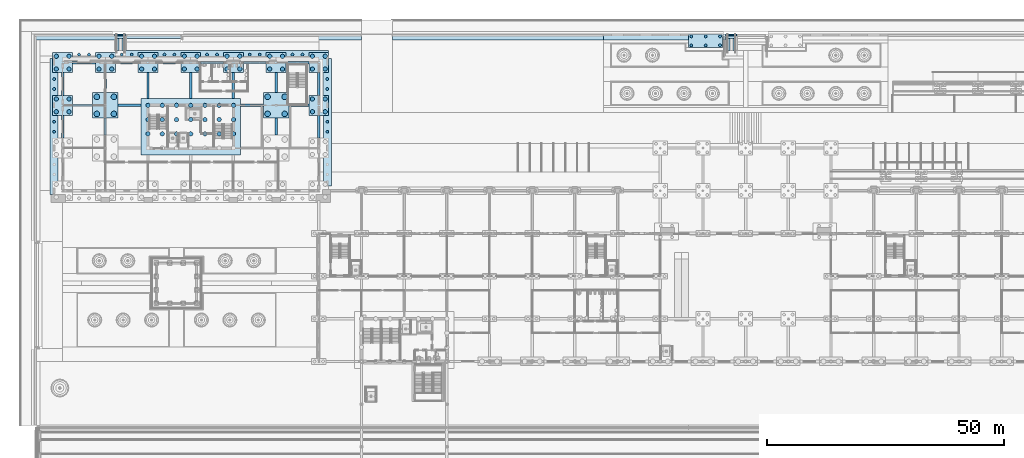
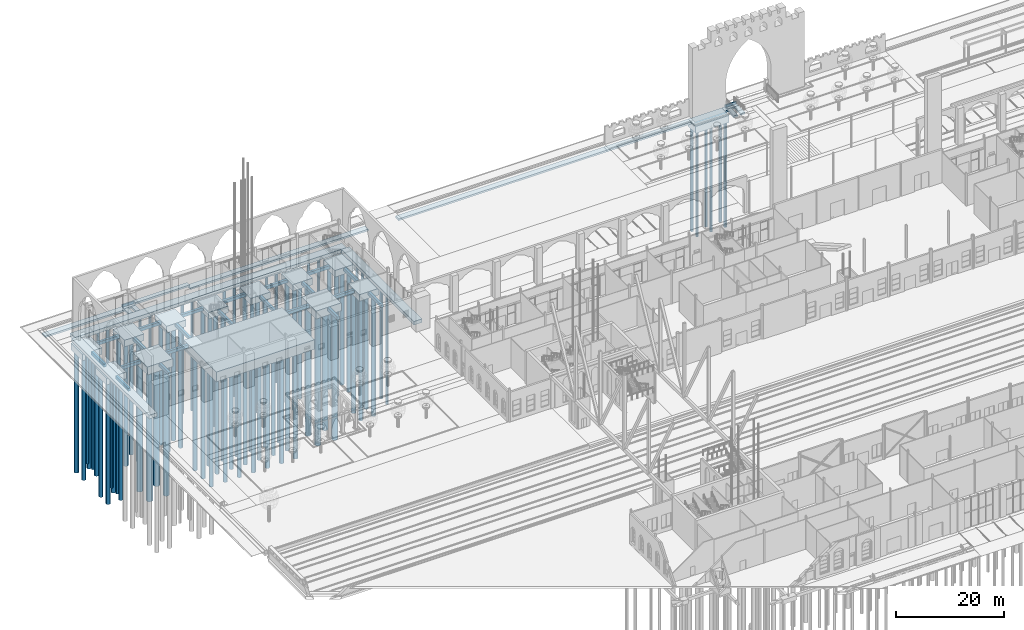
# One storey, part 7 of 250: 91 piles, 51 footings.
"""IFC4 building model written with IfcOpenShell, lengths in metres."""

from ifc_helpers import new_model, si_unit, direction, frame, origin, origin_2d, place, context, subcontext, project, spatial, polyline, rectangle, circle, outline, extrude, material, type_object, element, save


model = new_model("IFC4")

# Units and contexts
model_context = context("Model", 3, precision=1e-05, world=origin(), true_north=direction((0.0, 1.0)))
body_context = subcontext(model_context, "Body", "Model", "MODEL_VIEW")
ifc_project = project(units=[si_unit("LENGTHUNIT", "METRE"), si_unit("AREAUNIT", "SQUARE_METRE"), si_unit("VOLUMEUNIT", "CUBIC_METRE"), si_unit("PLANEANGLEUNIT", "RADIAN"), si_unit("MASSUNIT", "GRAM", prefix="KILO")], contexts=[model_context])

# Site, building, storey
site_placement = place(None, origin())
site = spatial("IfcSite", under=ifc_project, at=site_placement, CompositionType="ELEMENT")
building_placement = place(site_placement, origin())
building = spatial("IfcBuilding", under=site, at=building_placement, Name="Baradari Gate Terminus", CompositionType="ELEMENT")
storey_placement = place(building_placement, origin())
storey = spatial("IfcBuildingStorey", under=building, at=storey_placement, Name="L00", CompositionType="ELEMENT", Elevation=0.0)

# Piles
ifc_material_1 = material(Name="Concrete C32/40", Category="concrete")
pile_type_1 = type_object("IfcPileType", Name="Bored pile BP1 D900", PredefinedType="BORED", material=ifc_material_1)
for number, where, z_axis, x_axis, name in (
    (1, (27.0, 129.0, -4.199951171875), (0.0, 0.0, -1.0), (1.0, 0.0, 0.0), "Bored pile BP1 under the Operations block core (2)"),
    (2, (27.0, 132.0, -4.199951171875), (0.0, 0.0, -1.0), (1.0, 0.0, 0.0), "Bored pile BP1 under the Operations block core (3)"),
    (3, (27.0, 135.0, -4.199951171875), (0.0, 0.0, -1.0), (1.0, 0.0, 0.0), "Bored pile BP1 under the Operations block core (4)"),
    (4, (30.0, 129.0, -4.199951171875), (0.0, 0.0, -1.0), (1.0, 0.0, 0.0), "Bored pile BP1 under the Operations block core (6)"),
    (5, (30.0, 132.0, -4.199951171875), (0.0, 0.0, -1.0), (1.0, 0.0, 0.0), "Bored pile BP1 under the Operations block core (7)"),
    (6, (30.0, 135.0, -4.199951171875), (0.0, 0.0, -1.0), (1.0, 0.0, 0.0), "Bored pile BP1 under the Operations block core (8)"),
    (7, (33.0, 129.0, -4.199951171875), (0.0, 0.0, -1.0), (1.0, 0.0, 0.0), "Bored pile BP1 under the Operations block core (10)"),
    (8, (33.0, 132.0, -4.199951171875), (0.0, 0.0, -1.0), (1.0, 0.0, 0.0), "Bored pile BP1 under the Operations block core (11)"),
    (9, (33.0, 135.0, -4.199951171875), (0.0, 0.0, -1.0), (1.0, 0.0, 0.0), "Bored pile BP1 under the Operations block core (12)"),
    (10, (36.0, 129.0, -4.199951171875), (0.0, 0.0, -1.0), (1.0, 0.0, 0.0), "Bored pile BP1 under the Operations block core (14)"),
    (11, (36.0, 132.0, -4.199951171875), (0.0, 0.0, -1.0), (1.0, 0.0, 0.0), "Bored pile BP1 under the Operations block core (15)"),
    (12, (36.0, 135.0, -4.199951171875), (0.0, 0.0, -1.0), (1.0, 0.0, 0.0), "Bored pile BP1 under the Operations block core (16)"),
    (13, (39.0, 129.0, -4.199951171875), (0.0, 0.0, -1.0), (1.0, 0.0, 0.0), "Bored pile BP1 under the Operations block core (18)"),
    (14, (39.0, 132.0, -4.199951171875), (0.0, 0.0, -1.0), (1.0, 0.0, 0.0), "Bored pile BP1 under the Operations block core (19)"),
    (15, (39.0, 135.0, -4.199951171875), (0.0, 0.0, -1.0), (1.0, 0.0, 0.0), "Bored pile BP1 under the Operations block core (20)"),
    (16, (42.0, 129.0, -4.199951171875), (0.0, 0.0, -1.0), (1.0, 0.0, 0.0), "Bored pile BP1 under the Operations block core (22)"),
    (17, (42.0, 132.0, -4.199951171875), (0.0, 0.0, -1.0), (1.0, 0.0, 0.0), "Bored pile BP1 under the Operations block core (23)"),
    (18, (42.0, 135.0, -4.199951171875), (0.0, 0.0, -1.0), (1.0, 0.0, 0.0), "Bored pile BP1 under the Operations block core (24)"),
    (19, (45.0, 129.0, -4.199951171875), (0.0, 0.0, -1.0), (1.0, 0.0, 0.0), "Bored pile BP1 under the Operations block core (26)"),
    (20, (45.0, 132.0, -4.199951171875), (0.0, 0.0, -1.0), (1.0, 0.0, 0.0), "Bored pile BP1 under the Operations block core (27)"),
    (21, (45.0, 135.0, -4.199951171875), (0.0, 0.0, -1.0), (1.0, 0.0, 0.0), "Bored pile BP1 under the Operations block core (28)"),
):
    element("IfcPile", number, at=place(storey_placement, frame(where, z_axis=z_axis, x_axis=x_axis)), inside=storey, type_object=pile_type_1, Name=name, PredefinedType="BORED", context=body_context, shape_type="SweptSolid", body=[
        extrude(circle(Radius=0.449951171875, at=origin_2d()), origin(), (0.0, 0.0, 1.0), 26.800048828125),
    ])
for number, where, z_axis, x_axis, name in (
    (22, (7.64990234375, 133.64990234375, -3.5), (0.0, 0.0, -1.0), (1.0, 0.0, 0.0), "Bored pile BP1 at 2-R (1)"),
    (23, (10.35009765625, 133.64990234375, -3.5), (0.0, 0.0, -1.0), (1.0, 0.0, 0.0), "Bored pile BP1 at 2-R (2)"),
    (24, (7.64990234375, 136.35009765625, -3.5), (0.0, 0.0, -1.0), (1.0, 0.0, 0.0), "Bored pile BP1 at 2-R (3)"),
    (25, (10.35009765625, 136.35009765625, -3.5), (0.0, 0.0, -1.0), (1.0, 0.0, 0.0), "Bored pile BP1 at 2-R (4)"),
    (26, (7.64990234375, 142.64990234375, -3.5), (0.0, 0.0, -1.0), (1.0, 0.0, 0.0), "Bored pile BP1 at 2-S (1)"),
    (27, (10.35009765625, 142.64990234375, -3.5), (0.0, 0.0, -1.0), (1.0, 0.0, 0.0), "Bored pile BP1 at 2-S (2)"),
    (28, (7.64990234375, 145.35009765625, -3.5), (0.0, 0.0, -1.0), (1.0, 0.0, 0.0), "Bored pile BP1 at 2-S (3)"),
    (29, (10.35009765625, 145.35009765625, -3.5), (0.0, 0.0, -1.0), (1.0, 0.0, 0.0), "Bored pile BP1 at 2-S (4)"),
    (30, (16.64990234375, 142.64990234375, -3.5), (0.0, 0.0, -1.0), (1.0, 0.0, 0.0), "Bored pile BP1 at 3-S (1)"),
    (31, (19.35009765625, 142.64990234375, -3.5), (0.0, 0.0, -1.0), (1.0, 0.0, 0.0), "Bored pile BP1 at 3-S (2)"),
    (32, (16.64990234375, 145.35009765625, -3.5), (0.0, 0.0, -1.0), (1.0, 0.0, 0.0), "Bored pile BP1 at 3-S (3)"),
    (33, (19.35009765625, 145.35009765625, -3.5), (0.0, 0.0, -1.0), (1.0, 0.0, 0.0), "Bored pile BP1 at 3-S (4)"),
    (34, (25.64990234375, 142.64990234375, -3.5), (0.0, 0.0, -1.0), (1.0, 0.0, 0.0), "Bored pile BP1 at 4-S (1)"),
    (35, (28.35009765625, 142.64990234375, -3.5), (0.0, 0.0, -1.0), (1.0, 0.0, 0.0), "Bored pile BP1 at 4-S (2)"),
    (36, (25.64990234375, 145.35009765625, -3.5), (0.0, 0.0, -1.0), (1.0, 0.0, 0.0), "Bored pile BP1 at 4-S (3)"),
    (37, (28.35009765625, 145.35009765625, -3.5), (0.0, 0.0, -1.0), (1.0, 0.0, 0.0), "Bored pile BP1 at 4-S (4)"),
    (38, (34.64990234375, 142.64990234375, -3.5), (0.0, 0.0, -1.0), (1.0, 0.0, 0.0), "Bored pile BP1 at 5-S (1)"),
    (39, (37.35009765625, 142.64990234375, -3.5), (0.0, 0.0, -1.0), (1.0, 0.0, 0.0), "Bored pile BP1 at 5-S (2)"),
    (40, (34.64990234375, 145.35009765625, -3.5), (0.0, 0.0, -1.0), (1.0, 0.0, 0.0), "Bored pile BP1 at 5-S (3)"),
    (41, (37.35009765625, 145.35009765625, -3.5), (0.0, 0.0, -1.0), (1.0, 0.0, 0.0), "Bored pile BP1 at 5-S (4)"),
    (42, (43.64990234375, 142.64990234375, -3.5), (0.0, 0.0, -1.0), (1.0, 0.0, 0.0), "Bored pile BP1 at 6-S (1)"),
    (43, (46.35009765625, 142.64990234375, -3.5), (0.0, 0.0, -1.0), (1.0, 0.0, 0.0), "Bored pile BP1 at 6-S (2)"),
    (44, (43.64990234375, 145.35009765625, -3.5), (0.0, 0.0, -1.0), (1.0, 0.0, 0.0), "Bored pile BP1 at 6-S (3)"),
    (45, (46.35009765625, 145.35009765625, -3.5), (0.0, 0.0, -1.0), (1.0, 0.0, 0.0), "Bored pile BP1 at 6-S (4)"),
    (46, (52.64990234375, 142.64990234375, -3.5), (0.0, 0.0, -1.0), (1.0, 0.0, 0.0), "Bored pile BP1 at 7-S (1)"),
    (47, (55.35009765625, 142.64990234375, -3.5), (0.0, 0.0, -1.0), (1.0, 0.0, 0.0), "Bored pile BP1 at 7-S (2)"),
    (48, (52.64990234375, 145.35009765625, -3.5), (0.0, 0.0, -1.0), (1.0, 0.0, 0.0), "Bored pile BP1 at 7-S (3)"),
    (49, (55.35009765625, 145.35009765625, -3.5), (0.0, 0.0, -1.0), (1.0, 0.0, 0.0), "Bored pile BP1 at 7-S (4)"),
    (50, (61.64990234375, 133.64990234375, -3.5), (0.0, 0.0, -1.0), (1.0, 0.0, 0.0), "Bored pile BP1 at 8-R (1)"),
    (51, (64.35009765625, 133.64990234375, -3.5), (0.0, 0.0, -1.0), (1.0, 0.0, 0.0), "Bored pile BP1 at 8-R (2)"),
    (52, (61.64990234375, 136.35009765625, -3.5), (0.0, 0.0, -1.0), (1.0, 0.0, 0.0), "Bored pile BP1 at 8-R (3)"),
    (53, (64.35009765625, 136.35009765625, -3.5), (0.0, 0.0, -1.0), (1.0, 0.0, 0.0), "Bored pile BP1 at 8-R (4)"),
    (54, (61.64990234375, 142.64990234375, -3.5), (0.0, 0.0, -1.0), (1.0, 0.0, 0.0), "Bored pile BP1 at 8-S (1)"),
    (55, (64.35009765625, 142.64990234375, -3.5), (0.0, 0.0, -1.0), (1.0, 0.0, 0.0), "Bored pile BP1 at 8-S (2)"),
    (56, (61.64990234375, 145.35009765625, -3.5), (0.0, 0.0, -1.0), (1.0, 0.0, 0.0), "Bored pile BP1 at 8-S (3)"),
    (57, (64.35009765625, 145.35009765625, -3.5), (0.0, 0.0, -1.0), (1.0, 0.0, 0.0), "Bored pile BP1 at 8-S (4)"),
):
    element("IfcPile", number, at=place(storey_placement, frame(where, z_axis=z_axis, x_axis=x_axis)), inside=storey, type_object=pile_type_1, Name=name, PredefinedType="BORED", context=body_context, shape_type="SweptSolid", body=[
        extrude(circle(Radius=0.449951171875, at=origin_2d()), origin(), (0.0, 0.0, 1.0), 27.5),
    ])
ifc_material_2 = material(Name="Concrete C32/40", Category="concrete")
pile_type_2 = type_object("IfcPileType", Name="Bored pile BP2 D600", PredefinedType="BORED", material=ifc_material_2)
for number, where, z_axis, x_axis, name in (
    (58, (12.449951171875, 145.699951171875, -0.85009765625), (0.0, 0.0, -1.0), (1.0, 0.0, 0.0), "Bored pile BP2 under the Operations block arcade N (1)"),
    (59, (14.550048828125, 145.699951171875, -0.85009765625), (0.0, 0.0, -1.0), (1.0, 0.0, 0.0), "Bored pile BP2 under the Operations block arcade N (2)"),
    (60, (21.449951171875, 145.699951171875, -0.85009765625), (0.0, 0.0, -1.0), (1.0, 0.0, 0.0), "Bored pile BP2 under the Operations block arcade N (3)"),
    (61, (23.550048828125, 145.699951171875, -0.85009765625), (0.0, 0.0, -1.0), (1.0, 0.0, 0.0), "Bored pile BP2 under the Operations block arcade N (4)"),
    (62, (30.449951171875, 145.699951171875, -0.85009765625), (0.0, 0.0, -1.0), (1.0, 0.0, 0.0), "Bored pile BP2 under the Operations block arcade N (5)"),
    (63, (32.550048828125, 145.699951171875, -0.85009765625), (0.0, 0.0, -1.0), (1.0, 0.0, 0.0), "Bored pile BP2 under the Operations block arcade N (6)"),
    (64, (39.449951171875, 145.699951171875, -0.85009765625), (0.0, 0.0, -1.0), (1.0, 0.0, 0.0), "Bored pile BP2 under the Operations block arcade N (7)"),
    (65, (41.550048828125, 145.699951171875, -0.85009765625), (0.0, 0.0, -1.0), (1.0, 0.0, 0.0), "Bored pile BP2 under the Operations block arcade N (8)"),
    (66, (48.449951171875, 145.699951171875, -0.85009765625), (0.0, 0.0, -1.0), (1.0, 0.0, 0.0), "Bored pile BP2 under the Operations block arcade N (9)"),
    (67, (50.550048828125, 145.699951171875, -0.85009765625), (0.0, 0.0, -1.0), (1.0, 0.0, 0.0), "Bored pile BP2 under the Operations block arcade N (10)"),
    (68, (57.449951171875, 145.699951171875, -0.85009765625), (0.0, 0.0, -1.0), (1.0, 0.0, 0.0), "Bored pile BP2 under the Operations block arcade N (11)"),
    (69, (59.550048828125, 145.699951171875, -0.85009765625), (0.0, 0.0, -1.0), (1.0, 0.0, 0.0), "Bored pile BP2 under the Operations block arcade N (12)"),
    (70, (7.199951171875, 129.449951171875, -0.85009765625), (0.0, 0.0, -1.0), (1.0, 0.0, 0.0), "Bored pile BP2 under the Operations block arcade W (3)"),
    (71, (7.199951171875, 131.550048828125, -0.85009765625), (0.0, 0.0, -1.0), (1.0, 0.0, 0.0), "Bored pile BP2 under the Operations block arcade W (4)"),
    (72, (7.199951171875, 138.449951171875, -0.85009765625), (0.0, 0.0, -1.0), (1.0, 0.0, 0.0), "Bored pile BP2 under the Operations block arcade W (5)"),
    (73, (7.199951171875, 140.550048828125, -0.85009765625), (0.0, 0.0, -1.0), (1.0, 0.0, 0.0), "Bored pile BP2 under the Operations block arcade W (6)"),
    (74, (64.800048828125, 129.449951171875, -0.85009765625), (0.0, 0.0, -1.0), (1.0, 0.0, 0.0), "Bored pile BP2 under the Operations block arcade E (3)"),
    (75, (64.800048828125, 131.550048828125, -0.85009765625), (0.0, 0.0, -1.0), (1.0, 0.0, 0.0), "Bored pile BP2 under the Operations block arcade E (4)"),
    (76, (64.800048828125, 138.449951171875, -0.85009765625), (0.0, 0.0, -1.0), (1.0, 0.0, 0.0), "Bored pile BP2 under the Operations block arcade E (5)"),
    (77, (64.800048828125, 140.550048828125, -0.85009765625), (0.0, 0.0, -1.0), (1.0, 0.0, 0.0), "Bored pile BP2 under the Operations block arcade E (6)"),
):
    element("IfcPile", number, at=place(storey_placement, frame(where, z_axis=z_axis, x_axis=x_axis)), inside=storey, type_object=pile_type_2, Name=name, PredefinedType="BORED", context=body_context, shape_type="SweptSolid", body=[
        extrude(circle(Radius=0.300048828125, at=origin_2d()), origin(), (0.0, 0.0, 1.0), 25.14990234375),
    ])
for number, where, z_axis, x_axis, name in (
    (78, (141.550048828125, 147.64990234375, -2.300048828125), (0.0, 0.0, -1.0), (1.0, 0.0, 0.0), "Bored pile BP2 under the Forecourt Gate W (1)"),
    (79, (141.550048828125, 149.5400390625, -2.300048828125), (0.0, 0.0, -1.0), (1.0, 0.0, 0.0), "Bored pile BP2 under the Forecourt Gate W (2)"),
    (80, (144.574951171875, 147.64990234375, -2.300048828125), (0.0, 0.0, -1.0), (1.0, 0.0, 0.0), "Bored pile BP2 under the Forecourt Gate W (3)"),
    (81, (144.574951171875, 149.5400390625, -2.300048828125), (0.0, 0.0, -1.0), (1.0, 0.0, 0.0), "Bored pile BP2 under the Forecourt Gate W (4)"),
    (82, (147.60009765625, 147.64990234375, -2.300048828125), (0.0, 0.0, -1.0), (1.0, 0.0, 0.0), "Bored pile BP2 under the Forecourt Gate W (5)"),
    (83, (147.60009765625, 149.5400390625, -2.300048828125), (0.0, 0.0, -1.0), (1.0, 0.0, 0.0), "Bored pile BP2 under the Forecourt Gate W (6)"),
):
    element("IfcPile", number, at=place(storey_placement, frame(where, z_axis=z_axis, x_axis=x_axis)), inside=storey, type_object=pile_type_2, Name=name, PredefinedType="BORED", context=body_context, shape_type="SweptSolid", body=[
        extrude(circle(Radius=0.300048828125, at=origin_2d()), origin(), (0.0, 0.0, 1.0), 23.699951171875),
    ])
ifc_material_3 = material(Name="Concrete C32/40", Category="concrete")
pile_type_3 = type_object("IfcPileType", Name="Bored pile BP3 D1200", PredefinedType="BORED", material=ifc_material_3)
for number, where, z_axis, x_axis, name in (
    (84, (16.199951171875, 133.199951171875, -3.800048828125), (0.0, 0.0, -1.0), (1.0, 0.0, 0.0), "Bored pile BP3 at 3-R (1)"),
    (85, (19.800048828125, 133.199951171875, -3.800048828125), (0.0, 0.0, -1.0), (1.0, 0.0, 0.0), "Bored pile BP3 at 3-R (2)"),
    (86, (16.199951171875, 136.800048828125, -3.800048828125), (0.0, 0.0, -1.0), (1.0, 0.0, 0.0), "Bored pile BP3 at 3-R (3)"),
    (87, (19.800048828125, 136.800048828125, -3.800048828125), (0.0, 0.0, -1.0), (1.0, 0.0, 0.0), "Bored pile BP3 at 3-R (4)"),
    (88, (52.199951171875, 133.199951171875, -3.800048828125), (0.0, 0.0, -1.0), (1.0, 0.0, 0.0), "Bored pile BP3 at 7-R (1)"),
    (89, (55.800048828125, 133.199951171875, -3.800048828125), (0.0, 0.0, -1.0), (1.0, 0.0, 0.0), "Bored pile BP3 at 7-R (2)"),
    (90, (52.199951171875, 136.800048828125, -3.800048828125), (0.0, 0.0, -1.0), (1.0, 0.0, 0.0), "Bored pile BP3 at 7-R (3)"),
    (91, (55.800048828125, 136.800048828125, -3.800048828125), (0.0, 0.0, -1.0), (1.0, 0.0, 0.0), "Bored pile BP3 at 7-R (4)"),
):
    element("IfcPile", number, at=place(storey_placement, frame(where, z_axis=z_axis, x_axis=x_axis)), inside=storey, type_object=pile_type_3, Name=name, PredefinedType="BORED", context=body_context, shape_type="SweptSolid", body=[
        extrude(circle(Radius=0.60009765625, at=origin_2d()), origin(), (0.0, 0.0, 1.0), 29.199951171875),
    ])

# Footings
ifc_material_4 = material(Name="Concrete C32/40", Category="concrete")
footing_type_1 = type_object("IfcFootingType", Name="Cheek strip footing SFC-1 900x400", PredefinedType="STRIP_FOOTING", material=ifc_material_4)
for number, where, z_axis, x_axis, name in (
    (92, (149.25, 147.840087890625, -1.199951171875), (0.0, 0.0, 1.0), (1.0, 0.0, 0.0), "Strip footing under ramp cheek wall Garden gate outer"),
    (93, (150.75, 147.840087890625, -1.199951171875), (0.0, 0.0, 1.0), (1.0, 0.0, 0.0), "Strip footing under ramp cheek wall Garden gate inner"),
):
    element("IfcFooting", number, at=place(storey_placement, frame(where, z_axis=z_axis, x_axis=x_axis)), inside=storey, type_object=footing_type_1, Name=name, PredefinedType="STRIP_FOOTING", context=body_context, shape_type="SweptSolid", body=[
        extrude(rectangle(XDim=0.89990234375, YDim=2.52001953125, at=origin_2d()), origin(), (0.0, 0.0, 1.0), 0.39990234375),
    ])
footing_1_placement = place(storey_placement, frame((150.0, 149.39990234375, -1.199951171875), z_axis=(0.0, 0.0, 1.0), x_axis=(1.0, 0.0, 0.0)))
element("IfcFooting", 94, at=footing_1_placement, inside=storey, type_object=footing_type_1, Name="Strip footing under the foot of Garden gate ramp", PredefinedType="STRIP_FOOTING", context=body_context, shape_type="SweptSolid", body=[
    extrude(rectangle(XDim=2.39990234375, YDim=0.60009765625, at=origin_2d()), origin(), (0.0, 0.0, 1.0), 0.39990234375),
])
footing_2_placement = place(storey_placement, frame((28.199951171875, 149.550048828125, -0.659912109375), z_axis=(0.0, 0.0, 1.0), x_axis=(1.0, 0.0, 0.0)))
element("IfcFooting", 95, at=footing_2_placement, inside=storey, type_object=footing_type_1, Name="Strip footing under the foot of North-west gate steps", PredefinedType="STRIP_FOOTING", context=body_context, shape_type="SweptSolid", body=[
    extrude(rectangle(XDim=11.60009765625, YDim=0.89990234375, at=origin_2d()), origin(), (0.0, 0.0, 1.0), 0.39990234375),
])
for number, where, z_axis, x_axis, name in (
    (96, (20.449951171875, 147.840087890625, -1.199951171875), (0.0, 0.0, 1.0), (1.0, 0.0, 0.0), "Strip footing under ramp cheek wall North-west gate outer"),
    (97, (21.949951171875, 147.840087890625, -1.199951171875), (0.0, 0.0, 1.0), (1.0, 0.0, 0.0), "Strip footing under ramp cheek wall North-west gate inner"),
):
    element("IfcFooting", number, at=place(storey_placement, frame(where, z_axis=z_axis, x_axis=x_axis)), inside=storey, type_object=footing_type_1, Name=name, PredefinedType="STRIP_FOOTING", context=body_context, shape_type="SweptSolid", body=[
        extrude(rectangle(XDim=0.89990234375, YDim=2.52001953125, at=origin_2d()), origin(), (0.0, 0.0, 1.0), 0.39990234375),
    ])
footing_3_placement = place(storey_placement, frame((21.199951171875, 149.39990234375, -1.199951171875), z_axis=(0.0, 0.0, 1.0), x_axis=(1.0, 0.0, 0.0)))
element("IfcFooting", 98, at=footing_3_placement, inside=storey, type_object=footing_type_1, Name="Strip footing under the foot of North-west gate ramp", PredefinedType="STRIP_FOOTING", context=body_context, shape_type="SweptSolid", body=[
    extrude(rectangle(XDim=2.39990234375, YDim=0.60009765625, at=origin_2d()), origin(), (0.0, 0.0, 1.0), 0.39990234375),
])
ifc_material_5 = material(Name="Concrete C32/40", Category="concrete")
footing_type_2 = type_object("IfcFootingType", Name="Ground beam TG1 500x700", PredefinedType="FOOTING_BEAM", material=ifc_material_5)
footing_4_placement = place(storey_placement, frame((13.199951171875, 135.0, -2.7998046875), z_axis=(0.0, 0.0, 1.0), x_axis=(1.0, 0.0, 0.0)))
element("IfcFooting", 99, at=footing_4_placement, inside=storey, type_object=footing_type_2, Name="Ground beam TG1 line R 11.1 to 15.3", PredefinedType="FOOTING_BEAM", context=body_context, shape_type="SweptSolid", body=[
    extrude(rectangle(XDim=4.199951171875, YDim=0.5, at=origin_2d()), origin(), (0.0, 0.0, 1.0), 0.699951171875),
])
for number, where, z_axis, x_axis, name in (
    (100, (23.10009765625, 135.0, -2.7998046875), (0.0, 0.0, 1.0), (1.0, 0.0, 0.0), "Ground beam TG1 line R 20.7 to 25.5"),
    (101, (48.89990234375, 135.0, -2.7998046875), (0.0, 0.0, 1.0), (1.0, 0.0, 0.0), "Ground beam TG1 line R 46.5 to 51.3"),
):
    element("IfcFooting", number, at=place(storey_placement, frame(where, z_axis=z_axis, x_axis=x_axis)), inside=storey, type_object=footing_type_2, Name=name, PredefinedType="FOOTING_BEAM", context=body_context, shape_type="SweptSolid", body=[
        extrude(rectangle(XDim=4.800048828125, YDim=0.5, at=origin_2d()), origin(), (0.0, 0.0, 1.0), 0.699951171875),
    ])
footing_5_placement = place(storey_placement, frame((58.800048828125, 135.0, -2.7998046875), z_axis=(0.0, 0.0, 1.0), x_axis=(1.0, 0.0, 0.0)))
element("IfcFooting", 102, at=footing_5_placement, inside=storey, type_object=footing_type_2, Name="Ground beam TG1 line R 56.7 to 60.9", PredefinedType="FOOTING_BEAM", context=body_context, shape_type="SweptSolid", body=[
    extrude(rectangle(XDim=4.199951171875, YDim=0.5, at=origin_2d()), origin(), (0.0, 0.0, 1.0), 0.699951171875),
])
for number, where, z_axis, x_axis, name in (
    (103, (13.5, 144.0, -2.7998046875), (0.0, 0.0, 1.0), (1.0, 0.0, 0.0), "Ground beam TG1 line S 11.1 to 15.9"),
    (104, (22.5, 144.0, -2.7998046875), (0.0, 0.0, 1.0), (1.0, 0.0, 0.0), "Ground beam TG1 line S 20.1 to 24.9"),
    (105, (31.5, 144.0, -2.7998046875), (0.0, 0.0, 1.0), (1.0, 0.0, 0.0), "Ground beam TG1 line S 29.1 to 33.9"),
    (106, (40.5, 144.0, -2.7998046875), (0.0, 0.0, 1.0), (1.0, 0.0, 0.0), "Ground beam TG1 line S 38.1 to 42.9"),
    (107, (49.5, 144.0, -2.7998046875), (0.0, 0.0, 1.0), (1.0, 0.0, 0.0), "Ground beam TG1 line S 47.1 to 51.9"),
    (108, (58.5, 144.0, -2.7998046875), (0.0, 0.0, 1.0), (1.0, 0.0, 0.0), "Ground beam TG1 line S 56.1 to 60.9"),
):
    element("IfcFooting", number, at=place(storey_placement, frame(where, z_axis=z_axis, x_axis=x_axis)), inside=storey, type_object=footing_type_2, Name=name, PredefinedType="FOOTING_BEAM", context=body_context, shape_type="SweptSolid", body=[
        extrude(rectangle(XDim=4.800048828125, YDim=0.5, at=origin_2d()), origin(), (0.0, 0.0, 1.0), 0.699951171875),
    ])
for number, where, z_axis, x_axis, name in (
    (109, (9.0, 130.5, -2.7998046875), (0.0, 0.0, 1.0), (1.0, 0.0, 0.0), "Ground beam TG1 line 2 128.1 to 132.9"),
    (110, (9.0, 139.5, -2.7998046875), (0.0, 0.0, 1.0), (1.0, 0.0, 0.0), "Ground beam TG1 line 2 137.1 to 141.9"),
):
    element("IfcFooting", number, at=place(storey_placement, frame(where, z_axis=z_axis, x_axis=x_axis)), inside=storey, type_object=footing_type_2, Name=name, PredefinedType="FOOTING_BEAM", context=body_context, shape_type="SweptSolid", body=[
        extrude(rectangle(XDim=0.5, YDim=4.800048828125, at=origin_2d()), origin(), (0.0, 0.0, 1.0), 0.699951171875),
    ])
footing_6_placement = place(storey_placement, frame((18.0, 130.5, -2.7998046875), z_axis=(0.0, 0.0, 1.0), x_axis=(1.0, 0.0, 0.0)))
element("IfcFooting", 111, at=footing_6_placement, inside=storey, type_object=footing_type_2, Name="Ground beam TG1 line 3 128.7 to 132.3", PredefinedType="FOOTING_BEAM", context=body_context, shape_type="SweptSolid", body=[
    extrude(rectangle(XDim=0.5, YDim=3.60009765625, at=origin_2d()), origin(), (0.0, 0.0, 1.0), 0.699951171875),
])
footing_7_placement = place(storey_placement, frame((18.0, 139.800048828125, -2.7998046875), z_axis=(0.0, 0.0, 1.0), x_axis=(1.0, 0.0, 0.0)))
element("IfcFooting", 112, at=footing_7_placement, inside=storey, type_object=footing_type_2, Name="Ground beam TG1 line 3 137.7 to 141.9", PredefinedType="FOOTING_BEAM", context=body_context, shape_type="SweptSolid", body=[
    extrude(rectangle(XDim=0.5, YDim=4.199951171875, at=origin_2d()), origin(), (0.0, 0.0, 1.0), 0.699951171875),
])
for number, where, z_axis, x_axis, name in (
    (113, (27.0, 139.199951171875, -2.7998046875), (0.0, 0.0, 1.0), (1.0, 0.0, 0.0), "Ground beam TG1 line 4 136.5 to 141.9"),
    (114, (36.0, 139.199951171875, -2.7998046875), (0.0, 0.0, 1.0), (1.0, 0.0, 0.0), "Ground beam TG1 line 5 136.5 to 141.9"),
    (115, (45.0, 139.199951171875, -2.7998046875), (0.0, 0.0, 1.0), (1.0, 0.0, 0.0), "Ground beam TG1 line 6 136.5 to 141.9"),
):
    element("IfcFooting", number, at=place(storey_placement, frame(where, z_axis=z_axis, x_axis=x_axis)), inside=storey, type_object=footing_type_2, Name=name, PredefinedType="FOOTING_BEAM", context=body_context, shape_type="SweptSolid", body=[
        extrude(rectangle(XDim=0.5, YDim=5.39990234375, at=origin_2d()), origin(), (0.0, 0.0, 1.0), 0.699951171875),
    ])
footing_8_placement = place(storey_placement, frame((54.0, 130.5, -2.7998046875), z_axis=(0.0, 0.0, 1.0), x_axis=(1.0, 0.0, 0.0)))
element("IfcFooting", 116, at=footing_8_placement, inside=storey, type_object=footing_type_2, Name="Ground beam TG1 line 7 128.7 to 132.3", PredefinedType="FOOTING_BEAM", context=body_context, shape_type="SweptSolid", body=[
    extrude(rectangle(XDim=0.5, YDim=3.60009765625, at=origin_2d()), origin(), (0.0, 0.0, 1.0), 0.699951171875),
])
footing_9_placement = place(storey_placement, frame((54.0, 139.800048828125, -2.7998046875), z_axis=(0.0, 0.0, 1.0), x_axis=(1.0, 0.0, 0.0)))
element("IfcFooting", 117, at=footing_9_placement, inside=storey, type_object=footing_type_2, Name="Ground beam TG1 line 7 137.7 to 141.9", PredefinedType="FOOTING_BEAM", context=body_context, shape_type="SweptSolid", body=[
    extrude(rectangle(XDim=0.5, YDim=4.199951171875, at=origin_2d()), origin(), (0.0, 0.0, 1.0), 0.699951171875),
])
for number, where, z_axis, x_axis, name in (
    (118, (63.0, 130.5, -2.7998046875), (0.0, 0.0, 1.0), (1.0, 0.0, 0.0), "Ground beam TG1 line 8 128.1 to 132.9"),
    (119, (63.0, 139.5, -2.7998046875), (0.0, 0.0, 1.0), (1.0, 0.0, 0.0), "Ground beam TG1 line 8 137.1 to 141.9"),
):
    element("IfcFooting", number, at=place(storey_placement, frame(where, z_axis=z_axis, x_axis=x_axis)), inside=storey, type_object=footing_type_2, Name=name, PredefinedType="FOOTING_BEAM", context=body_context, shape_type="SweptSolid", body=[
        extrude(rectangle(XDim=0.5, YDim=4.800048828125, at=origin_2d()), origin(), (0.0, 0.0, 1.0), 0.699951171875),
    ])
ifc_material_6 = material(Name="Concrete C32/40", Category="concrete")
footing_type_3 = type_object("IfcFootingType", Name="Kerb strip footing SFK-1 1200x400", PredefinedType="STRIP_FOOTING", material=ifc_material_6)
footing_10_placement = place(storey_placement, frame((11.5, 149.39990234375, -1.199951171875), z_axis=(0.0, 0.0, 1.0), x_axis=(1.0, 0.0, 0.0)))
element("IfcFooting", 120, at=footing_10_placement, inside=storey, type_object=footing_type_3, Name="Strip footing under plinth wall N1", PredefinedType="STRIP_FOOTING", context=body_context, shape_type="SweptSolid", body=[
    extrude(rectangle(XDim=17.0, YDim=1.199951171875, at=origin_2d()), origin(), (0.0, 0.0, 1.0), 0.39990234375),
])
footing_11_placement = place(storey_placement, frame((53.0, 149.39990234375, -1.199951171875), z_axis=(0.0, 0.0, 1.0), x_axis=(1.0, 0.0, 0.0)))
element("IfcFooting", 121, at=footing_11_placement, inside=storey, type_object=footing_type_3, Name="Strip footing under plinth wall N2", PredefinedType="STRIP_FOOTING", context=body_context, shape_type="SweptSolid", body=[
    extrude(rectangle(XDim=38.0, YDim=1.199951171875, at=origin_2d()), origin(), (0.0, 0.0, 1.0), 0.39990234375),
])
footing_12_placement = place(storey_placement, frame((100.75, 149.39990234375, -1.199951171875), z_axis=(0.0, 0.0, 1.0), x_axis=(1.0, 0.0, 0.0)))
element("IfcFooting", 122, at=footing_12_placement, inside=storey, type_object=footing_type_3, Name="Strip footing under plinth wall N3a", PredefinedType="STRIP_FOOTING", context=body_context, shape_type="SweptSolid", body=[
    extrude(rectangle(XDim=44.5, YDim=1.199951171875, at=origin_2d()), origin(), (0.0, 0.0, 1.0), 0.39990234375),
])
footing_13_placement = place(storey_placement, frame((132.0, 149.39990234375, -1.199951171875), z_axis=(0.0, 0.0, 1.0), x_axis=(1.0, 0.0, 0.0)))
element("IfcFooting", 123, at=footing_13_placement, inside=storey, type_object=footing_type_3, Name="Strip footing under plinth wall N3b", PredefinedType="STRIP_FOOTING", context=body_context, shape_type="SweptSolid", body=[
    extrude(rectangle(XDim=18.0, YDim=1.199951171875, at=origin_2d()), origin(), (0.0, 0.0, 1.0), 0.39990234375),
])
footing_14_placement = place(storey_placement, frame((148.5, 149.39990234375, -1.199951171875), z_axis=(0.0, 0.0, 1.0), x_axis=(1.0, 0.0, 0.0)))
element("IfcFooting", 124, at=footing_14_placement, inside=storey, type_object=footing_type_3, Name="Strip footing under gate pier GN1 a", PredefinedType="STRIP_FOOTING", context=body_context, shape_type="SweptSolid", body=[
    extrude(rectangle(XDim=0.60009765625, YDim=1.199951171875, at=origin_2d()), origin(), (0.0, 0.0, 1.0), 0.39990234375),
])
ifc_material_7 = material(Name="Concrete C32/40", Category="concrete")
footing_type_4 = type_object("IfcFootingType", Name="Pile cap PC1 4200x4200x1500", PredefinedType="PILE_CAP", material=ifc_material_7)
for number, where, z_axis, x_axis, name in (
    (125, (9.0, 135.0, -3.60009765625), (0.0, 0.0, 1.0), (1.0, 0.0, 0.0), "Pile cap PC1 at 2-R"),
    (126, (9.0, 144.0, -3.60009765625), (0.0, 0.0, 1.0), (1.0, 0.0, 0.0), "Pile cap PC1 at 2-S"),
    (127, (18.0, 144.0, -3.60009765625), (0.0, 0.0, 1.0), (1.0, 0.0, 0.0), "Pile cap PC1 at 3-S"),
    (128, (27.0, 144.0, -3.60009765625), (0.0, 0.0, 1.0), (1.0, 0.0, 0.0), "Pile cap PC1 at 4-S"),
    (129, (36.0, 144.0, -3.60009765625), (0.0, 0.0, 1.0), (1.0, 0.0, 0.0), "Pile cap PC1 at 5-S"),
    (130, (45.0, 144.0, -3.60009765625), (0.0, 0.0, 1.0), (1.0, 0.0, 0.0), "Pile cap PC1 at 6-S"),
    (131, (54.0, 144.0, -3.60009765625), (0.0, 0.0, 1.0), (1.0, 0.0, 0.0), "Pile cap PC1 at 7-S"),
    (132, (63.0, 135.0, -3.60009765625), (0.0, 0.0, 1.0), (1.0, 0.0, 0.0), "Pile cap PC1 at 8-R"),
    (133, (63.0, 144.0, -3.60009765625), (0.0, 0.0, 1.0), (1.0, 0.0, 0.0), "Pile cap PC1 at 8-S"),
):
    element("IfcFooting", number, at=place(storey_placement, frame(where, z_axis=z_axis, x_axis=x_axis)), inside=storey, type_object=footing_type_4, Name=name, PredefinedType="PILE_CAP", context=body_context, shape_type="SweptSolid", body=[
        extrude(rectangle(XDim=4.199951171875, YDim=4.199951171875, at=origin_2d()), origin(), (0.0, 0.0, 1.0), 1.5),
    ])
ifc_material_8 = material(Name="Concrete C32/40", Category="concrete")
footing_type_5 = type_object("IfcFootingType", Name="Pile cap PC2 5400x5400x1800", PredefinedType="PILE_CAP", material=ifc_material_8)
for number, where, z_axis, x_axis, name in (
    (134, (18.0, 135.0, -3.89990234375), (0.0, 0.0, 1.0), (1.0, 0.0, 0.0), "Pile cap PC2 at 3-R"),
    (135, (54.0, 135.0, -3.89990234375), (0.0, 0.0, 1.0), (1.0, 0.0, 0.0), "Pile cap PC2 at 7-R"),
):
    element("IfcFooting", number, at=place(storey_placement, frame(where, z_axis=z_axis, x_axis=x_axis)), inside=storey, type_object=footing_type_5, Name=name, PredefinedType="PILE_CAP", context=body_context, shape_type="SweptSolid", body=[
        extrude(rectangle(XDim=5.39990234375, YDim=5.39990234375, at=origin_2d()), origin(), (0.0, 0.0, 1.0), 1.800048828125),
    ])
ifc_material_9 = material(Name="Concrete C32/40", Category="concrete")
footing_type_6 = type_object("IfcFootingType", Name="Pile cap PC9 7150x2795x1600", PredefinedType="PILE_CAP", material=ifc_material_9)
footing_15_placement = place(storey_placement, frame((144.574951171875, 148.597412109375, -2.400146484375), z_axis=(0.0, 0.0, 1.0), x_axis=(1.0, 0.0, 0.0)))
element("IfcFooting", 136, at=footing_15_placement, inside=storey, type_object=footing_type_6, Name="Pile cap PC9 under the Forecourt Gate, west pier", PredefinedType="PILE_CAP", context=body_context, shape_type="SweptSolid", body=[
    extrude(rectangle(XDim=7.14990234375, YDim=2.794921875, at=origin_2d()), origin(), (0.0, 0.0, 1.0), 1.60009765625),
])
ifc_material_10 = material(Name="Concrete C32/40", Category="concrete")
footing_type_7 = type_object("IfcFootingType", Name="Piled raft RF2 2200", PredefinedType="PILE_CAP", material=ifc_material_10)
footing_16_placement = place(storey_placement, frame((0.0, 0.0, -4.300048828125)))
element("IfcFooting", 137, at=footing_16_placement, inside=storey, type_object=footing_type_7, Name="Piled raft under the Operations block core", PredefinedType="PILE_CAP", context=body_context, shape_type="SweptSolid", body=[
    extrude(outline(polyline([(25.5, 124.5), (46.5, 124.5), (46.5, 136.5), (25.5, 136.5), (25.5, 124.5)])), origin(), (0.0, 0.0, 1.0), 2.199951171875),
])
ifc_material_11 = material(Name="Concrete C32/40", Category="concrete")
footing_type_8 = type_object("IfcFootingType", Name="Ramp toe footing SFT-1 300x600", PredefinedType="STRIP_FOOTING", material=ifc_material_11)
for number, where, z_axis, x_axis, name in (
    (138, (150.0, 149.84912109375, -0.860107421875), (0.0, 0.0, 1.0), (1.0, 0.0, 0.0), "Toe footing at the foot of Garden gate ramp"),
    (139, (21.199951171875, 149.84912109375, -0.860107421875), (0.0, 0.0, 1.0), (1.0, 0.0, 0.0), "Toe footing at the foot of North-west gate ramp"),
):
    element("IfcFooting", number, at=place(storey_placement, frame(where, z_axis=z_axis, x_axis=x_axis)), inside=storey, type_object=footing_type_8, Name=name, PredefinedType="STRIP_FOOTING", context=body_context, shape_type="SweptSolid", body=[
        extrude(rectangle(XDim=2.39990234375, YDim=0.298095703125, at=origin_2d()), origin(), (0.0, 0.0, 1.0), 0.60009765625),
    ])
ifc_material_12 = material(Name="Concrete C32/40", Category="concrete")
footing_type_9 = type_object("IfcFootingType", Name="Strip footing SF6 1700x800", PredefinedType="STRIP_FOOTING", material=ifc_material_12)
footing_17_placement = place(storey_placement, frame((36.0, 145.699951171875, -0.9501953125), z_axis=(0.0, 0.0, 1.0), x_axis=(1.0, 0.0, 0.0)))
element("IfcFooting", 140, at=footing_17_placement, inside=storey, type_object=footing_type_9, Name="Strip footing SF6 under the Operations block arcade, N side", PredefinedType="STRIP_FOOTING", context=body_context, shape_type="SweptSolid", body=[
    extrude(rectangle(XDim=58.050048828125, YDim=1.699951171875, at=origin_2d()), origin(), (0.0, 0.0, 1.0), 0.800048828125),
])
footing_18_placement = place(storey_placement, frame((7.199951171875, 130.5400390625, -0.9501953125), z_axis=(0.0, 0.0, 1.0), x_axis=(1.0, 0.0, 0.0)))
element("IfcFooting", 141, at=footing_18_placement, inside=storey, type_object=footing_type_9, Name="Strip footing SF6 under the Operations block arcade, W side", PredefinedType="STRIP_FOOTING", context=body_context, shape_type="SweptSolid", body=[
    extrude(rectangle(XDim=1.699951171875, YDim=28.6201171875, at=origin_2d()), origin(), (0.0, 0.0, 1.0), 0.800048828125),
])
footing_19_placement = place(storey_placement, frame((64.800048828125, 131.39990234375, -0.9501953125), z_axis=(0.0, 0.0, 1.0), x_axis=(1.0, 0.0, 0.0)))
element("IfcFooting", 142, at=footing_19_placement, inside=storey, type_object=footing_type_9, Name="Strip footing SF6 under the Operations block arcade, E side", PredefinedType="STRIP_FOOTING", context=body_context, shape_type="SweptSolid", body=[
    extrude(rectangle(XDim=1.699951171875, YDim=26.89990234375, at=origin_2d()), origin(), (0.0, 0.0, 1.0), 0.800048828125),
])

save(model, "model.ifc")
